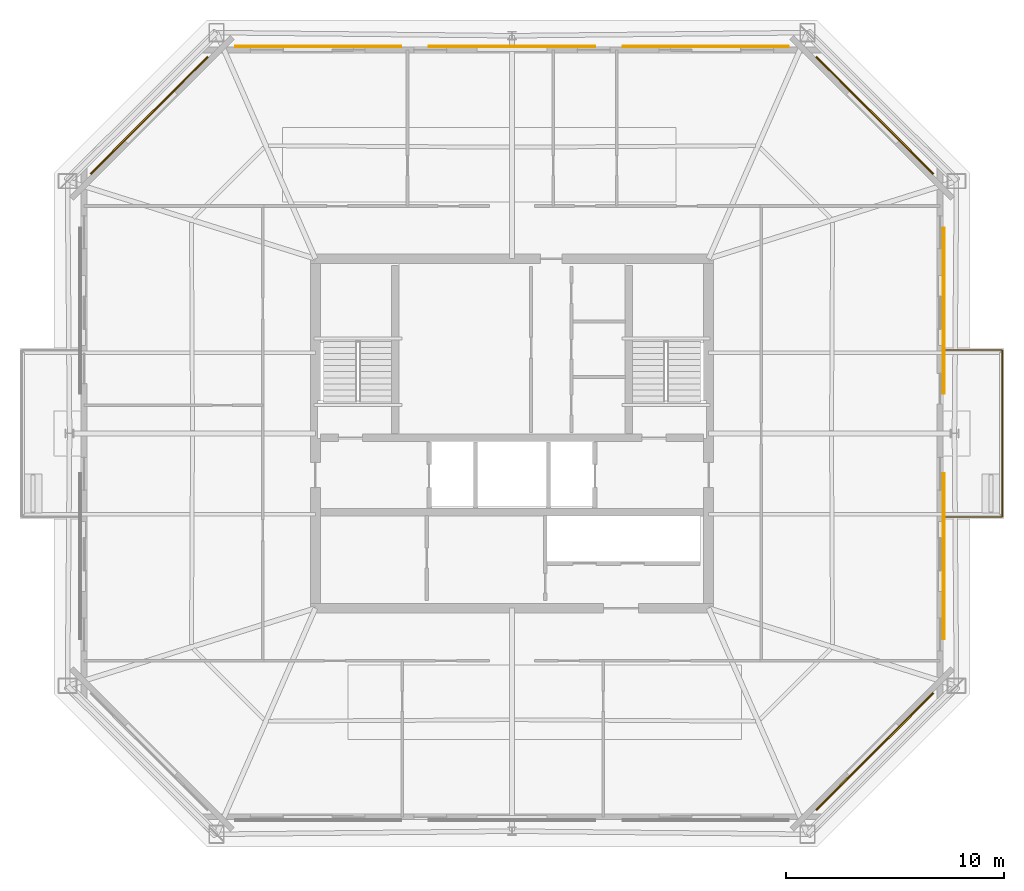
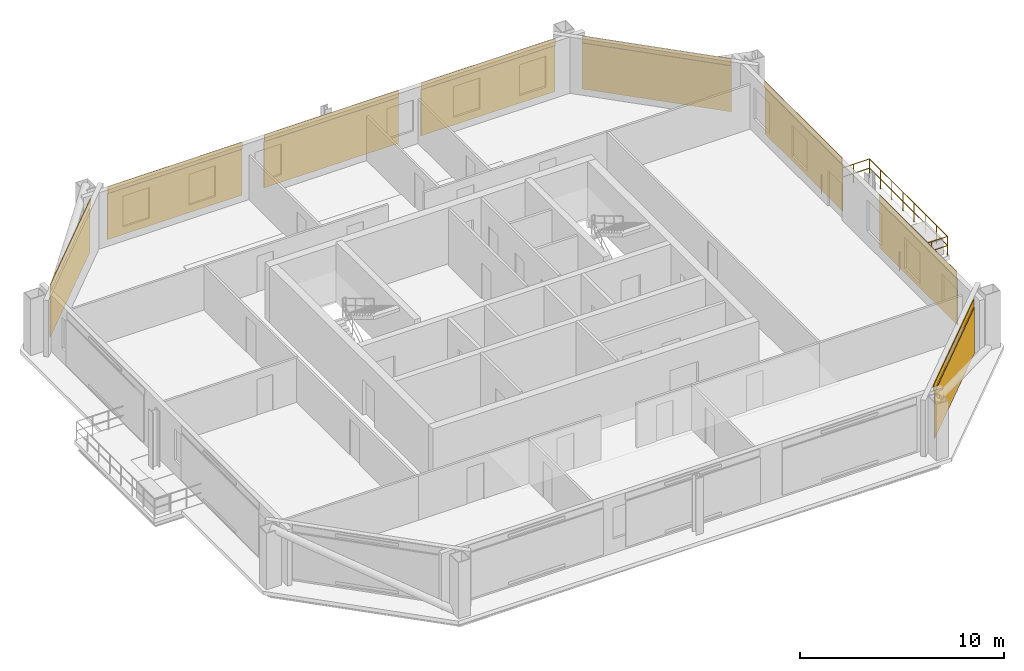
# One storey, part 7 of 7: 8 coverings, 8 shading devices, 1 railing.
"""IFC4 building model written with IfcOpenShell, lengths in metres."""

from ifc_helpers import new_model, si_unit, direction, frame, origin, origin_2d, place, context, subcontext, project, spatial, rectangle, circle, extrude, material, layer, layer_set, type_object, element, save


model = new_model("IFC4")

# Units and contexts
model_context = context("Model", 3, precision=1e-05, world=origin(), true_north=direction((0.0, 1.0)))
body_context = subcontext(model_context, "Body", "Model", "MODEL_VIEW")
ifc_project = project(units=[si_unit("LENGTHUNIT", "METRE"), si_unit("AREAUNIT", "SQUARE_METRE"), si_unit("VOLUMEUNIT", "CUBIC_METRE"), si_unit("PLANEANGLEUNIT", "RADIAN"), si_unit("MASSUNIT", "GRAM", prefix="KILO")], contexts=[model_context])

# Site, building, storey
site_placement = place(None, origin())
site = spatial("IfcSite", under=ifc_project, at=site_placement, CompositionType="ELEMENT")
building_placement = place(site_placement, origin())
building = spatial("IfcBuilding", under=site, at=building_placement, Name="Caelvoria Tower", CompositionType="ELEMENT")
storey_placement = place(building_placement, frame((0.0, 0.0, 223.800048828125)))
storey = spatial("IfcBuildingStorey", under=building, at=storey_placement, Name="L59", CompositionType="ELEMENT", Elevation=223.800048828125)

# Railing
ifc_material_1 = material(Name="Bronze Anodised Aluminium and Stainless Steel", Category="steel")
railing_type = type_object("IfcRailingType", Name="Exterior Terrace and Balcony Guardrail 1150", PredefinedType="GUARDRAIL", material=ifc_material_1)
railing_placement = place(storey_placement, frame((65.732666015625, 28.179931640625, 0.0)))
element("IfcRailing", 1, at=railing_placement, inside=storey, type_object=railing_type, Name="Tree Balcony Guardrail TB-L59-E", PredefinedType="GUARDRAIL", context=body_context, shape_type="SweptSolid", body=[
    extrude(circle(Radius=0.02392578125, at=origin_2d()), frame((0.0, 0.0, 1.1259765625), z_axis=(1.0, 0.0, 0.0), x_axis=(0.0, 1.0, 0.0)), (0.0, 0.0, 1.0), 2.7099609375),
    extrude(circle(Radius=0.02392578125, at=origin_2d()), frame((0.0, 0.0, 0.574951171875), z_axis=(1.0, 0.0, 0.0), x_axis=(0.0, 1.0, 0.0)), (0.0, 0.0, 1.0), 2.7099609375),
    extrude(circle(Radius=0.02392578125, at=origin_2d()), frame((2.7099609375, 0.0, 1.1259765625), z_axis=(0.0, 1.0, 0.0), x_axis=(-1.0, 0.0, 0.0)), (0.0, 0.0, 1.0), 7.64013671875),
    extrude(circle(Radius=0.02392578125, at=origin_2d()), frame((2.7099609375, 0.0, 0.574951171875), z_axis=(0.0, 1.0, 0.0), x_axis=(-1.0, 0.0, 0.0)), (0.0, 0.0, 1.0), 7.64013671875),
    extrude(circle(Radius=0.02392578125, at=origin_2d()), frame((2.7099609375, 7.64013671875, 1.1259765625), z_axis=(-1.0, 0.0, 0.0), x_axis=(0.0, -1.0, 0.0)), (0.0, 0.0, 1.0), 2.7099609375),
    extrude(circle(Radius=0.02392578125, at=origin_2d()), frame((2.7099609375, 7.64013671875, 0.574951171875), z_axis=(-1.0, 0.0, 0.0), x_axis=(0.0, -1.0, 0.0)), (0.0, 0.0, 1.0), 2.7099609375),
    extrude(circle(Radius=0.02099609375, at=origin_2d()), origin(), (0.0, 0.0, 1.0), 1.101806640625),
    extrude(circle(Radius=0.02099609375, at=origin_2d()), frame((0.9033203125, 0.0, 0.0)), (0.0, 0.0, 1.0), 1.101806640625),
    extrude(circle(Radius=0.02099609375, at=origin_2d()), frame((1.806640625, 0.0, 0.0)), (0.0, 0.0, 1.0), 1.101806640625),
    extrude(circle(Radius=0.02099609375, at=origin_2d()), frame((2.7099609375, 0.0, 0.0)), (0.0, 0.0, 1.0), 1.101806640625),
    extrude(circle(Radius=0.02099609375, at=origin_2d()), frame((2.7099609375, 1.091552734375, 0.0)), (0.0, 0.0, 1.0), 1.101806640625),
    extrude(circle(Radius=0.02099609375, at=origin_2d()), frame((2.7099609375, 2.182861328125, 0.0)), (0.0, 0.0, 1.0), 1.101806640625),
    extrude(circle(Radius=0.02099609375, at=origin_2d()), frame((2.7099609375, 3.2744140625, 0.0)), (0.0, 0.0, 1.0), 1.101806640625),
    extrude(circle(Radius=0.02099609375, at=origin_2d()), frame((2.7099609375, 4.36572265625, 0.0)), (0.0, 0.0, 1.0), 1.101806640625),
    extrude(circle(Radius=0.02099609375, at=origin_2d()), frame((2.7099609375, 5.457275390625, 0.0)), (0.0, 0.0, 1.0), 1.101806640625),
    extrude(circle(Radius=0.02099609375, at=origin_2d()), frame((2.7099609375, 6.548583984375, 0.0)), (0.0, 0.0, 1.0), 1.101806640625),
    extrude(circle(Radius=0.02099609375, at=origin_2d()), frame((2.7099609375, 7.64013671875, 0.0)), (0.0, 0.0, 1.0), 1.101806640625),
    extrude(circle(Radius=0.02099609375, at=origin_2d()), frame((1.806640625, 7.64013671875, 0.0)), (0.0, 0.0, 1.0), 1.101806640625),
    extrude(circle(Radius=0.02099609375, at=origin_2d()), frame((0.9033203125, 7.64013671875, 0.0)), (0.0, 0.0, 1.0), 1.101806640625),
    extrude(circle(Radius=0.02099609375, at=origin_2d()), frame((0.0, 7.64013671875, 0.0)), (0.0, 0.0, 1.0), 1.101806640625),
])

# Coverings
ifc_material_2 = material(Name="Perforated Architectural Bronze Cladding Screen", Category="bronze")
ifc_layer_1 = layer(ifc_material_2, 0.0400390625, Name="Perforated Architectural Bronze Cladding Screen")
ifc_layer_set_1 = layer_set([ifc_layer_1], Name="Perforated Bronze Louvre Cladding Band 40 - Perforated Architectural Bronze Cladding Screen")
covering_type = type_object("IfcCoveringType", Name="Perforated Bronze Louvre Cladding Band 40", PredefinedType="CLADDING", material=ifc_layer_set_1)
covering_1_placement = place(storey_placement, frame((62.590087890625, 17.455322265625, 2.955078125), z_axis=(0.0, 0.0, 1.0), x_axis=(0.707106781187, 0.707106781187, 0.0)))
element("IfcCovering", 2, at=covering_1_placement, inside=storey, type_object=covering_type, Name="Perforated Bronze Screen Band L59-E1-00", PredefinedType="CLADDING", context=body_context, shape_type="SweptSolid", body=[
    extrude(rectangle(XDim=7.572509765625, YDim=0.0400390625, at=origin_2d()), origin(), (0.0, 0.0, 1.0), 0.39990234375),
])
for number, where, z_axis, x_axis, name in (
    (3, (65.7373046875, 26.37548828125, 2.955078125), (0.0, 0.0, 1.0), (0.0, 1.0, 0.0), "Perforated Bronze Screen Band L59-E2-00"),
    (4, (65.7373046875, 37.62451171875, 2.955078125), (0.0, 0.0, 1.0), (0.0, 1.0, 0.0), "Perforated Bronze Screen Band L59-E2-01"),
):
    element("IfcCovering", number, at=place(storey_placement, frame(where, z_axis=z_axis, x_axis=x_axis)), inside=storey, type_object=covering_type, Name=name, PredefinedType="CLADDING", context=body_context, shape_type="SweptSolid", body=[
        extrude(rectangle(XDim=7.60009765625, YDim=0.0400390625, at=origin_2d()), origin(), (0.0, 0.0, 1.0), 0.39990234375),
    ])
covering_2_placement = place(storey_placement, frame((62.590087890625, 46.544677734375, 2.955078125), z_axis=(0.0, 0.0, 1.0), x_axis=(-0.707106781187, 0.707106781187, 0.0)))
element("IfcCovering", 5, at=covering_2_placement, inside=storey, type_object=covering_type, Name="Perforated Bronze Screen Band L59-E3-00", PredefinedType="CLADDING", context=body_context, shape_type="SweptSolid", body=[
    extrude(rectangle(XDim=7.572509765625, YDim=0.0400390625, at=origin_2d()), origin(), (0.0, 0.0, 1.0), 0.39990234375),
])
for number, where, z_axis, x_axis, name in (
    (6, (54.863037109375, 49.69189453125, 2.955078125), (0.0, 0.0, 1.0), (-1.0, 0.0, 0.0), "Perforated Bronze Screen Band L59-E4-00"),
    (7, (46.0, 49.69189453125, 2.955078125), (0.0, 0.0, 1.0), (-1.0, 0.0, 0.0), "Perforated Bronze Screen Band L59-E4-01"),
    (8, (37.136962890625, 49.69189453125, 2.955078125), (0.0, 0.0, 1.0), (-1.0, 0.0, 0.0), "Perforated Bronze Screen Band L59-E4-02"),
):
    element("IfcCovering", number, at=place(storey_placement, frame(where, z_axis=z_axis, x_axis=x_axis)), inside=storey, type_object=covering_type, Name=name, PredefinedType="CLADDING", context=body_context, shape_type="SweptSolid", body=[
        extrude(rectangle(XDim=7.60009765625, YDim=0.0400390625, at=origin_2d()), origin(), (0.0, 0.0, 1.0), 0.39990234375),
    ])
covering_3_placement = place(storey_placement, frame((29.409912109375, 46.544677734375, 2.955078125), z_axis=(0.0, 0.0, 1.0), x_axis=(-0.707106781187, -0.707106781187, 0.0)))
element("IfcCovering", 9, at=covering_3_placement, inside=storey, type_object=covering_type, Name="Perforated Bronze Screen Band L59-E5-00", PredefinedType="CLADDING", context=body_context, shape_type="SweptSolid", body=[
    extrude(rectangle(XDim=7.572509765625, YDim=0.0400390625, at=origin_2d()), origin(), (0.0, 0.0, 1.0), 0.39990234375),
])

# Shading devices
ifc_material_3 = material(Name="Perforated Architectural Bronze Alloy Panel", Category="bronze")
ifc_layer_2 = layer(ifc_material_3, 0.044921875, Name="Perforated Architectural Bronze Alloy Panel")
ifc_layer_set_2 = layer_set([ifc_layer_2], Name="Perforated Bronze Solar Screen Panel SCREEN - Perforated Architectural Bronze Alloy Panel")
shading_device_type = type_object("IfcShadingDeviceType", Name="Perforated Bronze Solar Screen Panel SCREEN", PredefinedType="USERDEFINED", material=ifc_layer_set_2)
shading_device_1_placement = place(storey_placement, frame((62.620361328125, 17.425048828125, 0.159912109375), z_axis=(0.0, 0.0, 1.0), x_axis=(0.707106781187, 0.707106781187, 0.0)))
element("IfcShadingDevice", 10, at=shading_device_1_placement, inside=storey, type_object=shading_device_type, Name="Perforated Bronze Solar Screen L59-E1-00", ObjectType="SCREEN", PredefinedType="USERDEFINED", context=body_context, shape_type="SweptSolid", body=[
    extrude(rectangle(XDim=7.572509765625, YDim=0.044921875, at=origin_2d()), origin(), (0.0, 0.0, 1.0), 2.75),
])
for number, where, z_axis, x_axis, name in (
    (11, (65.7802734375, 26.37548828125, 0.159912109375), (0.0, 0.0, 1.0), (0.0, 1.0, 0.0), "Perforated Bronze Solar Screen L59-E2-00"),
    (12, (65.7802734375, 37.62451171875, 0.159912109375), (0.0, 0.0, 1.0), (0.0, 1.0, 0.0), "Perforated Bronze Solar Screen L59-E2-01"),
):
    element("IfcShadingDevice", number, at=place(storey_placement, frame(where, z_axis=z_axis, x_axis=x_axis)), inside=storey, type_object=shading_device_type, Name=name, ObjectType="SCREEN", PredefinedType="USERDEFINED", context=body_context, shape_type="SweptSolid", body=[
        extrude(rectangle(XDim=7.60009765625, YDim=0.044921875, at=origin_2d()), origin(), (0.0, 0.0, 1.0), 2.75),
    ])
shading_device_2_placement = place(storey_placement, frame((62.620361328125, 46.574951171875, 0.159912109375), z_axis=(0.0, 0.0, 1.0), x_axis=(-0.707106781187, 0.707106781187, 0.0)))
element("IfcShadingDevice", 13, at=shading_device_2_placement, inside=storey, type_object=shading_device_type, Name="Perforated Bronze Solar Screen L59-E3-00", ObjectType="SCREEN", PredefinedType="USERDEFINED", context=body_context, shape_type="SweptSolid", body=[
    extrude(rectangle(XDim=7.572509765625, YDim=0.044921875, at=origin_2d()), origin(), (0.0, 0.0, 1.0), 2.75),
])
for number, where, z_axis, x_axis, name in (
    (14, (54.863037109375, 49.73486328125, 0.159912109375), (0.0, 0.0, 1.0), (-1.0, 0.0, 0.0), "Perforated Bronze Solar Screen L59-E4-00"),
    (15, (46.0, 49.73486328125, 0.159912109375), (0.0, 0.0, 1.0), (-1.0, 0.0, 0.0), "Perforated Bronze Solar Screen L59-E4-01"),
    (16, (37.136962890625, 49.73486328125, 0.159912109375), (0.0, 0.0, 1.0), (-1.0, 0.0, 0.0), "Perforated Bronze Solar Screen L59-E4-02"),
):
    element("IfcShadingDevice", number, at=place(storey_placement, frame(where, z_axis=z_axis, x_axis=x_axis)), inside=storey, type_object=shading_device_type, Name=name, ObjectType="SCREEN", PredefinedType="USERDEFINED", context=body_context, shape_type="SweptSolid", body=[
        extrude(rectangle(XDim=7.60009765625, YDim=0.044921875, at=origin_2d()), origin(), (0.0, 0.0, 1.0), 2.75),
    ])
shading_device_3_placement = place(storey_placement, frame((29.379638671875, 46.574951171875, 0.159912109375), z_axis=(0.0, 0.0, 1.0), x_axis=(-0.707106781187, -0.707106781187, 0.0)))
element("IfcShadingDevice", 17, at=shading_device_3_placement, inside=storey, type_object=shading_device_type, Name="Perforated Bronze Solar Screen L59-E5-00", ObjectType="SCREEN", PredefinedType="USERDEFINED", context=body_context, shape_type="SweptSolid", body=[
    extrude(rectangle(XDim=7.572509765625, YDim=0.044921875, at=origin_2d()), origin(), (0.0, 0.0, 1.0), 2.75),
])

save(model, "model.ifc")
